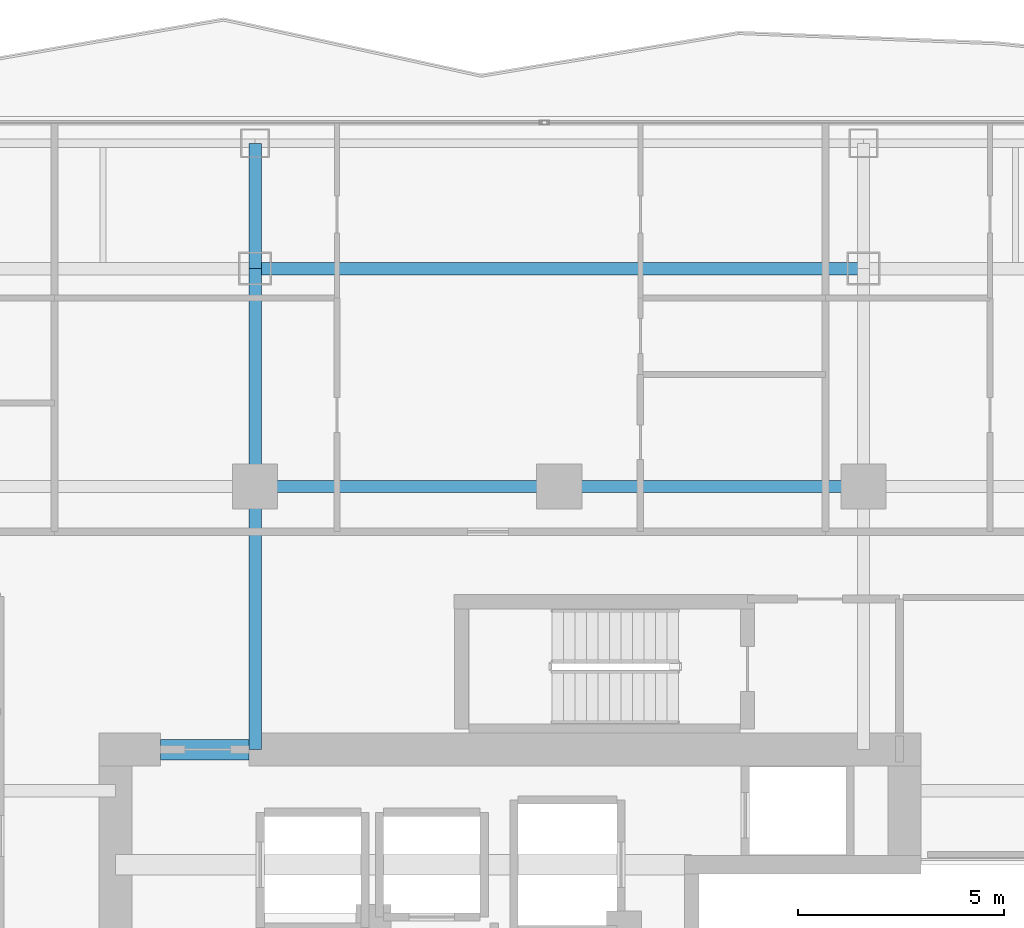
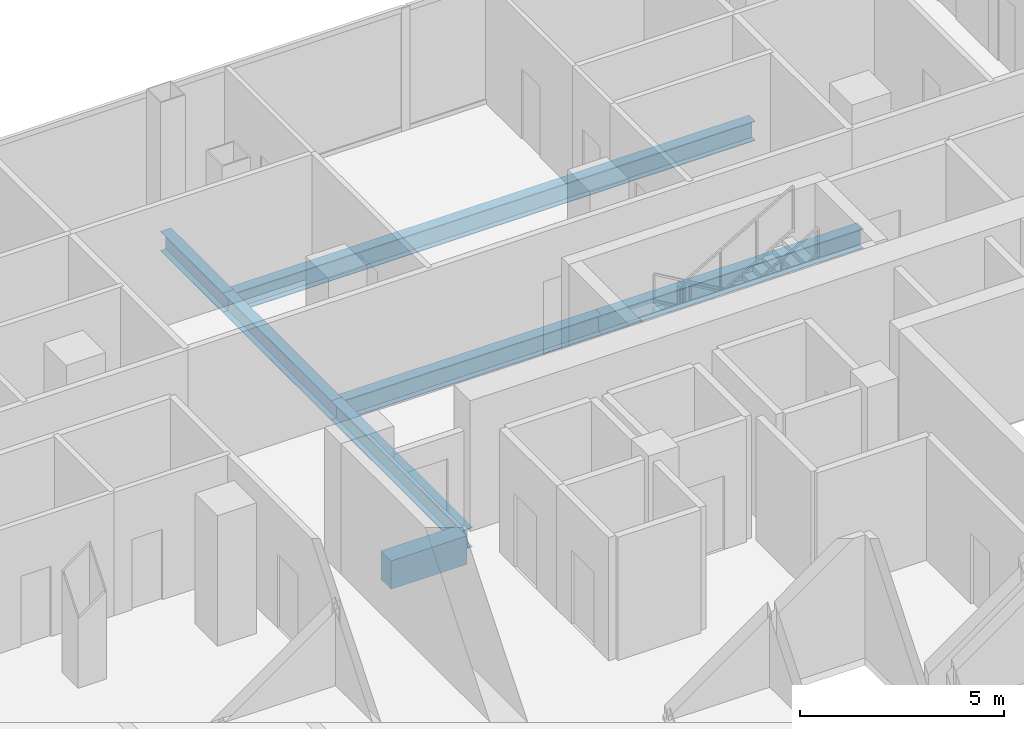
# One storey, part 12 of 26: 7 beams.
"""IFC4 building model written with IfcOpenShell, lengths in metres."""

from ifc_helpers import new_model, si_unit, direction, frame, origin, origin_2d, place, context, subcontext, project, spatial, rectangle, i_section, extrude, material, material_profile, profile_set, type_object, element, save


model = new_model("IFC4")

# Units and contexts
model_context = context("Model", 3, precision=1e-05, world=origin(), true_north=direction((0.0, 1.0)))
body_context = subcontext(model_context, "Body", "Model", "MODEL_VIEW")
ifc_project = project(units=[si_unit("LENGTHUNIT", "METRE"), si_unit("AREAUNIT", "SQUARE_METRE"), si_unit("VOLUMEUNIT", "CUBIC_METRE"), si_unit("PLANEANGLEUNIT", "RADIAN"), si_unit("MASSUNIT", "GRAM", prefix="KILO")], contexts=[model_context])

# Site, building, storey
site_placement = place(None, origin())
site = spatial("IfcSite", under=ifc_project, at=site_placement, CompositionType="ELEMENT")
building_placement = place(site_placement, origin())
building = spatial("IfcBuilding", under=site, at=building_placement, Name="Khorvyn Point Tower", CompositionType="ELEMENT")
storey_placement = place(building_placement, frame((0.0, 0.0, 183.60009765625)))
storey = spatial("IfcBuildingStorey", under=building, at=storey_placement, Name="L45", CompositionType="ELEMENT", Elevation=183.60009765625)

# Beams
ifc_material_1 = material(Name="Concrete C45/55", Category="concrete")
ifc_material_profile_1 = material_profile(ifc_material_1, rectangle(XDim=0.5, YDim=0.85009765625, at=origin_2d()))
ifc_profile_set_1 = profile_set([ifc_material_profile_1], Name="Concrete C45/55 RC500x850")
beam_type_1 = type_object("IfcBeamType", Name="Concrete C45/55 Beam RC500x850", PredefinedType="BEAM", material=ifc_profile_set_1)
beam_1_placement = place(storey_placement, frame((-9.699951171875, 8.39990234375, -0.64501953125), z_axis=(1.0, 0.0, 0.0), x_axis=(0.0, 1.0, 0.0)))
element("IfcBeam", 1, at=beam_1_placement, inside=storey, type_object=beam_type_1, Name="L45 Core Northwest Portal Coupling Beam", PredefinedType="BEAM", context=body_context, shape_type="SweptSolid", body=[
    extrude(rectangle(XDim=0.5, YDim=0.85009765625, at=origin_2d()), origin(), (0.0, 0.0, 1.0), 2.14990234375),
])
ifc_material_2 = material(Name="Steel S355", Category="steel")
ifc_material_profile_2 = material_profile(ifc_material_2, i_section(OverallWidth=0.300048828125, OverallDepth=0.587890625, WebThickness=0.011962890625, FlangeThickness=0.02001953125, at=origin_2d()))
ifc_profile_set_2 = profile_set([ifc_material_profile_2], Name="Steel S355 H588x300x12x20")
beam_type_2 = type_object("IfcBeamType", Name="Steel S355 Beam H588x300x12x20", PredefinedType="BEAM", material=ifc_profile_set_2)
for number, where, z_axis, x_axis, name in (
    (2, (-7.39990234375, 14.800048828125, -0.51416015625), (1.0, 0.0, 0.0), (0.0, 1.0, 0.0), "Beam"),
    (3, (0.0, 14.800048828125, -0.51416015625), (1.0, 0.0, 0.0), (0.0, 1.0, 0.0), "Beam"),
):
    element("IfcBeam", number, at=place(storey_placement, frame(where, z_axis=z_axis, x_axis=x_axis)), inside=storey, type_object=beam_type_2, Name=name, PredefinedType="BEAM", context=body_context, shape_type="SweptSolid", body=[
        extrude(i_section(OverallWidth=0.300048828125, OverallDepth=0.587890625, WebThickness=0.011962890625, FlangeThickness=0.02001953125, at=origin_2d()), origin(), (0.0, 0.0, 1.0), 7.39990234375),
    ])
beam_2_placement = place(storey_placement, frame((-7.39990234375, 20.10009765625, -0.51416015625), z_axis=(1.0, 0.0, 0.0), x_axis=(0.0, 1.0, 0.0)))
element("IfcBeam", 4, at=beam_2_placement, inside=storey, type_object=beam_type_2, Name="Beam", PredefinedType="BEAM", context=body_context, shape_type="SweptSolid", body=[
    extrude(i_section(OverallWidth=0.300048828125, OverallDepth=0.587890625, WebThickness=0.011962890625, FlangeThickness=0.02001953125, at=origin_2d()), origin(), (0.0, 0.0, 1.0), 14.7998046875),
])
beam_3_placement = place(storey_placement, frame((-7.39990234375, 8.39990234375, -0.51416015625), z_axis=(0.0, 1.0, 0.0), x_axis=(-1.0, 0.0, 0.0)))
element("IfcBeam", 5, at=beam_3_placement, inside=storey, type_object=beam_type_2, Name="Beam", PredefinedType="BEAM", context=body_context, shape_type="SweptSolid", body=[
    extrude(i_section(OverallWidth=0.300048828125, OverallDepth=0.587890625, WebThickness=0.011962890625, FlangeThickness=0.02001953125, at=origin_2d()), origin(), (0.0, 0.0, 1.0), 6.400146484375),
])
beam_4_placement = place(storey_placement, frame((-7.39990234375, 14.800048828125, -0.51416015625), z_axis=(0.0, 1.0, 0.0), x_axis=(-1.0, 0.0, 0.0)))
element("IfcBeam", 6, at=beam_4_placement, inside=storey, type_object=beam_type_2, Name="Beam", PredefinedType="BEAM", context=body_context, shape_type="SweptSolid", body=[
    extrude(i_section(OverallWidth=0.300048828125, OverallDepth=0.587890625, WebThickness=0.011962890625, FlangeThickness=0.02001953125, at=origin_2d()), origin(), (0.0, 0.0, 1.0), 5.300048828125),
])
beam_5_placement = place(storey_placement, frame((-7.39990234375, 20.10009765625, -0.51416015625), z_axis=(0.0, 1.0, 0.0), x_axis=(-1.0, 0.0, 0.0)))
element("IfcBeam", 7, at=beam_5_placement, inside=storey, type_object=beam_type_2, Name="Beam", PredefinedType="BEAM", context=body_context, shape_type="SweptSolid", body=[
    extrude(i_section(OverallWidth=0.300048828125, OverallDepth=0.587890625, WebThickness=0.011962890625, FlangeThickness=0.02001953125, at=origin_2d()), origin(), (0.0, 0.0, 1.0), 3.0498046875),
])

save(model, "model.ifc")
